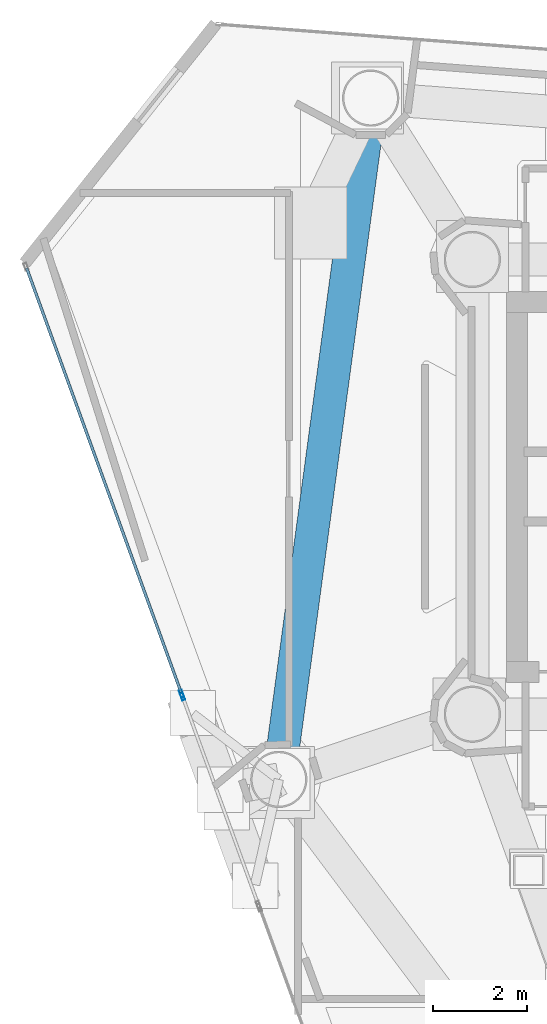
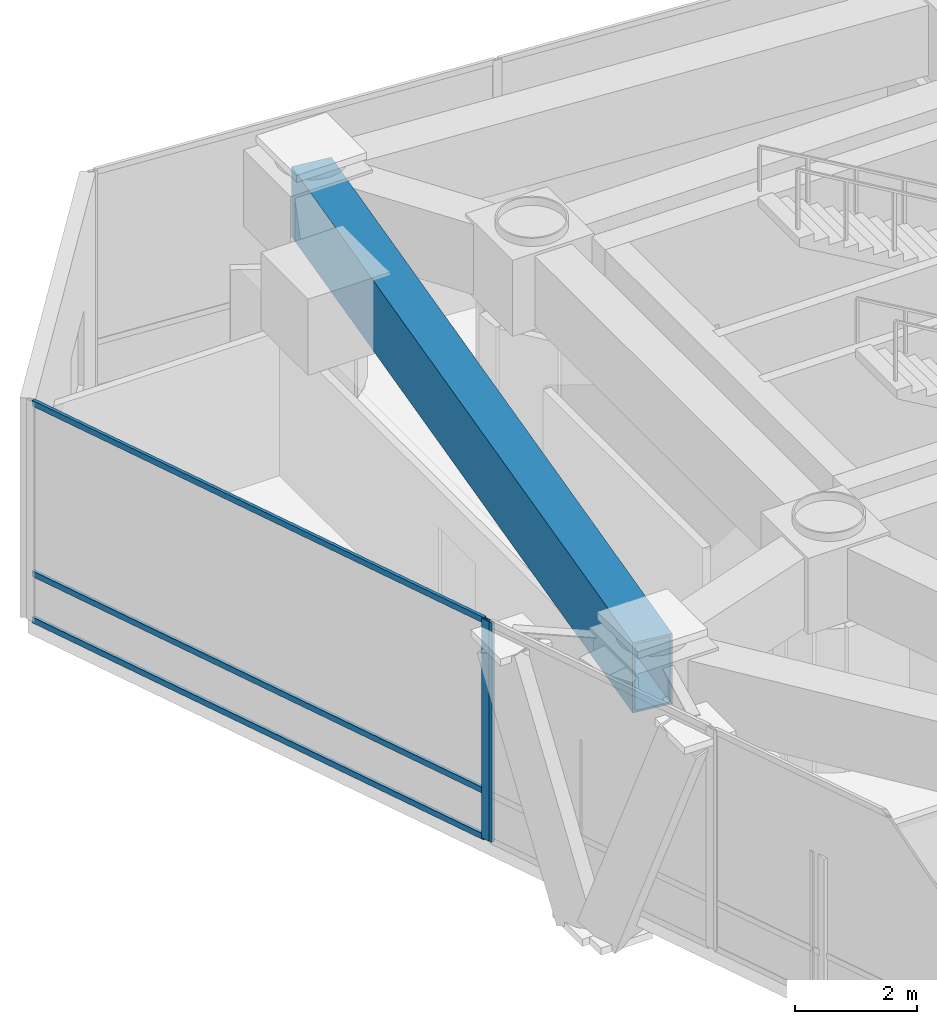
# One storey, part 7 of 20: 5 members, 1 beam, 2 elements without a shape of their own.
"""IFC4 building model written with IfcOpenShell, lengths in metres."""

from ifc_helpers import new_model, si_unit, direction, frame, origin, origin_2d, place, context, subcontext, project, spatial, hollow_rectangle, extrude, material, layer, layer_set, material_profile, profile_set, type_object, element, aggregate, save


model = new_model("IFC4")

# Units and contexts
model_context = context("Model", 3, precision=1e-05, world=origin(), true_north=direction((0.0, 1.0)))
body_context = subcontext(model_context, "Body", "Model", "MODEL_VIEW")
ifc_project = project(units=[si_unit("LENGTHUNIT", "METRE"), si_unit("AREAUNIT", "SQUARE_METRE"), si_unit("VOLUMEUNIT", "CUBIC_METRE"), si_unit("PLANEANGLEUNIT", "RADIAN"), si_unit("MASSUNIT", "GRAM", prefix="KILO")], contexts=[model_context])

# Site, building, storey
site_placement = place(None, origin())
site = spatial("IfcSite", under=ifc_project, at=site_placement, CompositionType="ELEMENT")
building_placement = place(site_placement, origin())
building = spatial("IfcBuilding", under=site, at=building_placement, Name="Qianvela Tower", CompositionType="ELEMENT")
storey_placement = place(building_placement, frame((0.0, 0.0, 229.89990234375)))
storey = spatial("IfcBuildingStorey", under=building, at=storey_placement, Name="L59", CompositionType="ELEMENT", Elevation=229.89990234375)

# Beam
ifc_material_1 = material(Name="Steel Q420GJC", Category="steel")
ifc_material_profile_1 = material_profile(ifc_material_1, hollow_rectangle(XDim=0.699951171875, YDim=1.39990234375, WallThickness=0.0400390625, at=origin_2d()), Name="TG-BOX-1400x700x40")
ifc_profile_set_1 = profile_set([ifc_material_profile_1], Name="Steel Q420GJC")
beam_type = type_object("IfcBeamType", Name="BM-TG-RAD-1400", PredefinedType="BEAM", material=ifc_profile_set_1)
beam_placement = place(storey_placement, frame((26.430908203125, 36.991943359375, 3.677978515625), z_axis=(-0.133596613255, -0.991035793968, 0.0), x_axis=(0.991035793968, -0.133596613255, 0.0)))
element("IfcBeam", 1, at=beam_placement, inside=storey, type_object=beam_type, Name="L59 Perimeter Belt-Truss Top Ring Girder 3", PredefinedType="BEAM", context=body_context, shape_type="SweptSolid", body=[
    extrude(hollow_rectangle(XDim=0.699951171875, YDim=1.39990234375, WallThickness=0.0400390625, at=origin_2d()), origin(), (0.0, 0.0, 1.0), 14.663330078125),
])

# Curtain wall, member
ifc_material_2 = material(Name="Anodised Architectural Aluminium and Insulated Spandrel Panel", Category="aluminium")
ifc_layer_1 = layer(ifc_material_2, 0.179931640625)
ifc_layer_set_1 = layer_set([ifc_layer_1], Name="Anodised Architectural Aluminium and Insulated Spandrel Panel")
curtain_wall_type_1 = type_object("IfcCurtainWallType", Name="CW-BRACEBAY", PredefinedType="USERDEFINED", material=ifc_layer_set_1)
curtain_wall_1_placement = place(storey_placement, origin())
curtain_wall_1 = element("IfcCurtainWall", 2, at=curtain_wall_1_placement, inside=storey, type_object=curtain_wall_type_1, Name="L59 CW-BRACEBAY Curtain Wall 04B", ObjectType="CURTAIN_WALL_SYSTEM", PredefinedType="USERDEFINED")
ifc_material_3 = material(Name="Anodised Architectural Aluminium 6063-T6", Category="aluminium")
ifc_material_profile_2 = material_profile(ifc_material_3, hollow_rectangle(XDim=0.06494140625, YDim=0.159912109375, WallThickness=0.0048828125, at=origin_2d()), Name="ALU-MULL-65x160")
ifc_profile_set_2 = profile_set([ifc_material_profile_2], Name="Anodised Architectural Aluminium 6063-T6")
member_type_1 = type_object("IfcMemberType", Name="CW-BRACEBAY-MULL", PredefinedType="MULLION", material=ifc_profile_set_2)
member_1_placement = place(storey_placement, frame((22.419189453125, 24.225830078125, 0.0), z_axis=(0.0, 0.0, 1.0), x_axis=(0.939690367743, 0.342026333446, 0.0)))
member_1 = element("IfcMember", 3, at=member_1_placement, type_object=member_type_1, Name="CW-9 mullion 1", PredefinedType="MULLION", context=body_context, shape_type="SweptSolid", body=[
    extrude(hollow_rectangle(XDim=0.06494140625, YDim=0.159912109375, WallThickness=0.0048828125, at=origin_2d()), origin(), (0.0, 0.0, 1.0), 4.380126953125),
])
aggregate(curtain_wall_1, [member_1])

# Curtain wall, members
ifc_material_4 = material(Name="Anodised Architectural Aluminium and Low-E Glass", Category="aluminium")
ifc_layer_2 = layer(ifc_material_4, 0.159912109375)
ifc_layer_set_2 = layer_set([ifc_layer_2], Name="Anodised Architectural Aluminium and Low-E Glass")
curtain_wall_type_2 = type_object("IfcCurtainWallType", Name="CW-COLIV-Z56", PredefinedType="USERDEFINED", material=ifc_layer_set_2)
curtain_wall_2_placement = place(storey_placement, origin())
curtain_wall_2 = element("IfcCurtainWall", 4, at=curtain_wall_2_placement, inside=storey, type_object=curtain_wall_type_2, Name="L59 CW-COLIV-Z56 Curtain Wall 04A", ObjectType="CURTAIN_WALL_SYSTEM", PredefinedType="USERDEFINED")
ifc_material_5 = material(Name="Anodised Architectural Aluminium 6063-T6", Category="aluminium")
ifc_material_profile_3 = material_profile(ifc_material_5, hollow_rectangle(XDim=0.06494140625, YDim=0.159912109375, WallThickness=0.0048828125, at=origin_2d()), Name="ALU-MULL-65x160")
ifc_profile_set_3 = profile_set([ifc_material_profile_3], Name="Anodised Architectural Aluminium 6063-T6")
member_type_2 = type_object("IfcMemberType", Name="CW-COLIV-Z56-MULL", PredefinedType="MULLION", material=ifc_profile_set_3)
member_2_placement = place(storey_placement, frame((22.39697265625, 24.286865234375, 0.0), z_axis=(0.0, 0.0, 1.0), x_axis=(0.939693167633, 0.342018640871, 0.0)))
member_2 = element("IfcMember", 5, at=member_2_placement, type_object=member_type_2, Name="CW-5 mullion 2", PredefinedType="MULLION", context=body_context, shape_type="SweptSolid", body=[
    extrude(hollow_rectangle(XDim=0.06494140625, YDim=0.159912109375, WallThickness=0.0048828125, at=origin_2d()), origin(), (0.0, 0.0, 1.0), 4.380126953125),
])
ifc_material_6 = material(Name="Anodised Architectural Aluminium 6063-T6", Category="aluminium")
ifc_material_profile_4 = material_profile(ifc_material_6, hollow_rectangle(XDim=0.06005859375, YDim=0.114990234375, WallThickness=0.00390625, at=origin_2d()), Name="ALU-TRAN-60x115")
ifc_profile_set_4 = profile_set([ifc_material_profile_4], Name="Anodised Architectural Aluminium 6063-T6")
member_type_3 = type_object("IfcMemberType", Name="CW-COLIV-Z56-TRAN", PredefinedType="USERDEFINED", material=ifc_profile_set_4)
member_3_placement = place(storey_placement, frame((19.09228515625, 33.36669921875, 0.030029296875), z_axis=(0.342021918481, -0.93969197468, 0.0), x_axis=(0.93969197468, 0.342021918481, 0.0)))
member_3 = element("IfcMember", 6, at=member_3_placement, type_object=member_type_3, Name="CW-5 transom 1.1", ObjectType="TRANSOM", PredefinedType="USERDEFINED", context=body_context, shape_type="SweptSolid", body=[
    extrude(hollow_rectangle(XDim=0.06005859375, YDim=0.114990234375, WallThickness=0.00390625, at=origin_2d()), origin(), (0.0, 0.0, 1.0), 9.630126953125),
])
member_4_placement = place(storey_placement, frame((19.09228515625, 33.36669921875, 0.9501953125), z_axis=(0.342021918481, -0.93969197468, 0.0), x_axis=(0.93969197468, 0.342021918481, 0.0)))
member_4 = element("IfcMember", 7, at=member_4_placement, type_object=member_type_3, Name="CW-5 transom 1.2", ObjectType="TRANSOM", PredefinedType="USERDEFINED", context=body_context, shape_type="SweptSolid", body=[
    extrude(hollow_rectangle(XDim=0.06005859375, YDim=0.114990234375, WallThickness=0.00390625, at=origin_2d()), origin(), (0.0, 0.0, 1.0), 9.630126953125),
])
member_5_placement = place(storey_placement, frame((19.09228515625, 33.36669921875, 4.35009765625), z_axis=(0.342021918481, -0.93969197468, 0.0), x_axis=(0.93969197468, 0.342021918481, 0.0)))
member_5 = element("IfcMember", 8, at=member_5_placement, type_object=member_type_3, Name="CW-5 transom 1.3", ObjectType="TRANSOM", PredefinedType="USERDEFINED", context=body_context, shape_type="SweptSolid", body=[
    extrude(hollow_rectangle(XDim=0.06005859375, YDim=0.114990234375, WallThickness=0.00390625, at=origin_2d()), origin(), (0.0, 0.0, 1.0), 9.630126953125),
])
aggregate(curtain_wall_2, [member_2, member_3, member_4, member_5])

save(model, "model.ifc")
